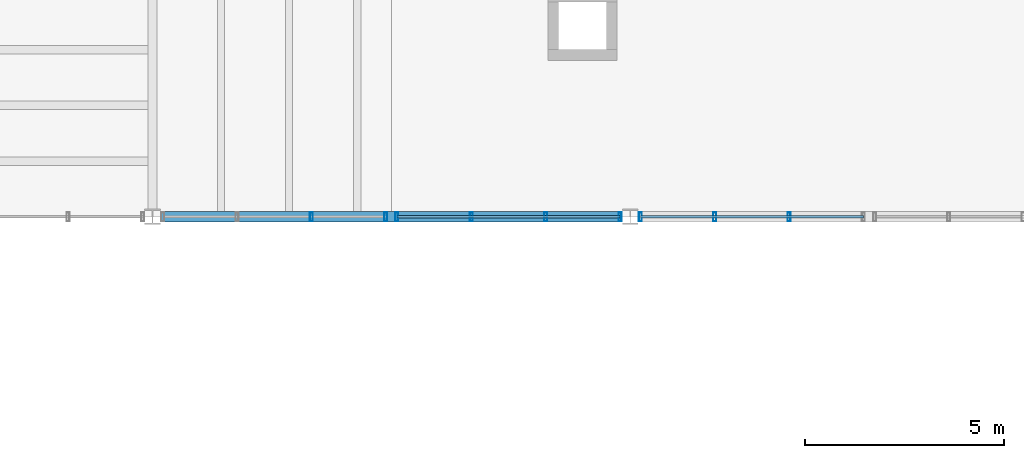
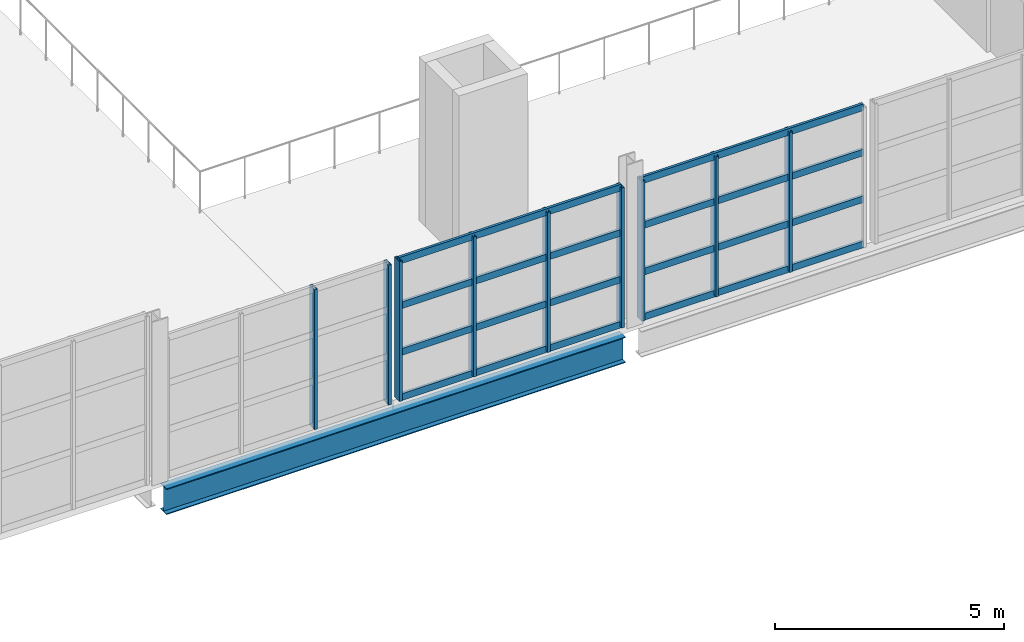
# One storey, part 15 of 78: 17 members, 1 beam, 3 elements without a shape of their own.
"""IFC4 building model written with IfcOpenShell, lengths in metres."""

from ifc_helpers import new_model, si_unit, direction, frame, origin, origin_2d, place, context, subcontext, project, spatial, hollow_rectangle, i_section, extrude, material, material_profile, profile_set, type_object, element, aggregate, save


model = new_model("IFC4")

# Units and contexts
model_context = context("Model", 3, precision=1e-05, world=origin(), true_north=direction((0.0, 1.0)))
body_context = subcontext(model_context, "Body", "Model", "MODEL_VIEW")
ifc_project = project(units=[si_unit("LENGTHUNIT", "METRE"), si_unit("AREAUNIT", "SQUARE_METRE"), si_unit("VOLUMEUNIT", "CUBIC_METRE"), si_unit("PLANEANGLEUNIT", "RADIAN"), si_unit("MASSUNIT", "GRAM", prefix="KILO")], contexts=[model_context])

# Site, building, storey
site_placement = place(None, origin())
site = spatial("IfcSite", under=ifc_project, at=site_placement, CompositionType="ELEMENT")
building_placement = place(site_placement, origin())
building = spatial("IfcBuilding", under=site, at=building_placement, Name="Kelmvaro Bay Concert Hall", CompositionType="ELEMENT")
storey_placement = place(building_placement, frame((0.0, 0.0, 9.300048828125)))
storey = spatial("IfcBuildingStorey", under=building, at=storey_placement, Name="L02", CompositionType="ELEMENT", Elevation=9.300048828125)

# Curtain wall, members
ifc_material_1 = material(Name="Anodised Aluminium and Low-E Insulated Glazing", Category="aluminium")
curtain_wall_type = type_object("IfcCurtainWallType", Name="Upper Salon Waterfront Curtain Wall 4050", PredefinedType="USERDEFINED", material=ifc_material_1)
curtain_wall_1_placement = place(storey_placement, origin())
curtain_wall_1 = element("IfcCurtainWall", 1, at=curtain_wall_1_placement, inside=storey, type_object=curtain_wall_type, Name="Unitised Curtain Wall CW-L02-078", ObjectType="UNITISED GLAZING", PredefinedType="USERDEFINED")
ifc_material_2 = material(Name="Anodised Extruded Aluminium 6063-T6", Category="aluminium")
ifc_material_profile_1 = material_profile(ifc_material_2, hollow_rectangle(XDim=0.074951171875, YDim=0.219970703125, WallThickness=0.00439453125, at=origin_2d()), Name="ALU-MUL-220X75")
ifc_profile_set_1 = profile_set([ifc_material_profile_1], Name="Anodised Extruded Aluminium 6063-T6")
member_type_1 = type_object("IfcMemberType", Name="Curtain Mullion Heavy ALU 220x75", PredefinedType="MULLION", material=ifc_profile_set_1)
member_1_placement = place(storey_placement, frame((65.860107421875, 7.199951171875, 0.0), z_axis=(0.0, 0.0, 1.0), x_axis=(1.0, 0.0, 0.0)))
member_1 = element("IfcMember", 2, at=member_1_placement, type_object=member_type_1, Name="CW-L02-078 Mullion 01", PredefinedType="MULLION", context=body_context, shape_type="SweptSolid", body=[
    extrude(hollow_rectangle(XDim=0.074951171875, YDim=0.219970703125, WallThickness=0.00439453125, at=origin_2d()), origin(), (0.0, 0.0, 1.0), 3.739013671875),
])
member_2_placement = place(storey_placement, frame((63.991455078125, 7.199951171875, 0.0), z_axis=(0.0, 0.0, 1.0), x_axis=(1.0, 0.0, 0.0)))
member_2 = element("IfcMember", 3, at=member_2_placement, type_object=member_type_1, Name="CW-L02-078 Mullion 02", PredefinedType="MULLION", context=body_context, shape_type="SweptSolid", body=[
    extrude(hollow_rectangle(XDim=0.074951171875, YDim=0.219970703125, WallThickness=0.00439453125, at=origin_2d()), origin(), (0.0, 0.0, 1.0), 3.739013671875),
])
aggregate(curtain_wall_1, [member_1, member_2])

curtain_wall_2_placement = place(storey_placement, origin())
curtain_wall_2 = element("IfcCurtainWall", 4, at=curtain_wall_2_placement, inside=storey, type_object=curtain_wall_type, Name="Unitised Curtain Wall CW-L02-079", ObjectType="UNITISED GLAZING", PredefinedType="USERDEFINED")
member_3_placement = place(storey_placement, frame((71.74560546875, 7.199951171875, 0.0), z_axis=(0.0, 0.0, 1.0), x_axis=(1.0, 0.0, 0.0)))
member_3 = element("IfcMember", 5, at=member_3_placement, type_object=member_type_1, Name="CW-L02-079 Mullion 01", PredefinedType="MULLION", context=body_context, shape_type="SweptSolid", body=[
    extrude(hollow_rectangle(XDim=0.074951171875, YDim=0.219970703125, WallThickness=0.00439453125, at=origin_2d()), origin(), (0.0, 0.0, 1.0), 3.739013671875),
])
member_4_placement = place(storey_placement, frame((69.876953125, 7.199951171875, 0.0), z_axis=(0.0, 0.0, 1.0), x_axis=(1.0, 0.0, 0.0)))
member_4 = element("IfcMember", 6, at=member_4_placement, type_object=member_type_1, Name="CW-L02-079 Mullion 02", PredefinedType="MULLION", context=body_context, shape_type="SweptSolid", body=[
    extrude(hollow_rectangle(XDim=0.074951171875, YDim=0.219970703125, WallThickness=0.00439453125, at=origin_2d()), origin(), (0.0, 0.0, 1.0), 3.739013671875),
])
member_5_placement = place(storey_placement, frame((68.008544921875, 7.199951171875, 0.0), z_axis=(0.0, 0.0, 1.0), x_axis=(1.0, 0.0, 0.0)))
member_5 = element("IfcMember", 7, at=member_5_placement, type_object=member_type_1, Name="CW-L02-079 Mullion 03", PredefinedType="MULLION", context=body_context, shape_type="SweptSolid", body=[
    extrude(hollow_rectangle(XDim=0.074951171875, YDim=0.219970703125, WallThickness=0.00439453125, at=origin_2d()), origin(), (0.0, 0.0, 1.0), 3.739013671875),
])
member_6_placement = place(storey_placement, frame((66.139892578125, 7.199951171875, 0.0), z_axis=(0.0, 0.0, 1.0), x_axis=(1.0, 0.0, 0.0)))
member_6 = element("IfcMember", 8, at=member_6_placement, type_object=member_type_1, Name="CW-L02-079 Mullion 04", PredefinedType="MULLION", context=body_context, shape_type="SweptSolid", body=[
    extrude(hollow_rectangle(XDim=0.074951171875, YDim=0.219970703125, WallThickness=0.00439453125, at=origin_2d()), origin(), (0.0, 0.0, 1.0), 3.739013671875),
])

curtain_wall_3_placement = place(storey_placement, origin())
curtain_wall_3 = element("IfcCurtainWall", 9, at=curtain_wall_3_placement, inside=storey, type_object=curtain_wall_type, Name="Unitised Curtain Wall CW-L02-080", ObjectType="UNITISED GLAZING", PredefinedType="USERDEFINED")
member_7_placement = place(storey_placement, frame((75.991455078125, 7.199951171875, 0.0), z_axis=(0.0, 0.0, 1.0), x_axis=(1.0, 0.0, 0.0)))
member_7 = element("IfcMember", 10, at=member_7_placement, type_object=member_type_1, Name="CW-L02-080 Mullion 02", PredefinedType="MULLION", context=body_context, shape_type="SweptSolid", body=[
    extrude(hollow_rectangle(XDim=0.074951171875, YDim=0.219970703125, WallThickness=0.00439453125, at=origin_2d()), origin(), (0.0, 0.0, 1.0), 3.739013671875),
])
member_8_placement = place(storey_placement, frame((74.123046875, 7.199951171875, 0.0), z_axis=(0.0, 0.0, 1.0), x_axis=(1.0, 0.0, 0.0)))
member_8 = element("IfcMember", 11, at=member_8_placement, type_object=member_type_1, Name="CW-L02-080 Mullion 03", PredefinedType="MULLION", context=body_context, shape_type="SweptSolid", body=[
    extrude(hollow_rectangle(XDim=0.074951171875, YDim=0.219970703125, WallThickness=0.00439453125, at=origin_2d()), origin(), (0.0, 0.0, 1.0), 3.739013671875),
])
member_9_placement = place(storey_placement, frame((72.25439453125, 7.199951171875, 0.0), z_axis=(0.0, 0.0, 1.0), x_axis=(1.0, 0.0, 0.0)))
member_9 = element("IfcMember", 12, at=member_9_placement, type_object=member_type_1, Name="CW-L02-080 Mullion 04", PredefinedType="MULLION", context=body_context, shape_type="SweptSolid", body=[
    extrude(hollow_rectangle(XDim=0.074951171875, YDim=0.219970703125, WallThickness=0.00439453125, at=origin_2d()), origin(), (0.0, 0.0, 1.0), 3.739013671875),
])

# Member
ifc_material_3 = material(Name="Anodised Extruded Aluminium 6063-T6", Category="aluminium")
ifc_material_profile_2 = material_profile(ifc_material_3, hollow_rectangle(XDim=0.06494140625, YDim=0.179931640625, WallThickness=0.00439453125, at=origin_2d()), Name="ALU-TRN-180X65")
ifc_profile_set_2 = profile_set([ifc_material_profile_2], Name="Anodised Extruded Aluminium 6063-T6")
member_type_2 = type_object("IfcMemberType", Name="Curtain Transom Heavy ALU 180x65", PredefinedType="USERDEFINED", material=ifc_profile_set_2)
member_10_placement = place(storey_placement, frame((71.74560546875, 7.199951171875, 0.0400390625), z_axis=(-1.0, 0.0, 0.0), x_axis=(0.0, -1.0, 0.0)))
member_10 = element("IfcMember", 13, at=member_10_placement, type_object=member_type_2, Name="CW-L02-079 Transom 01", ObjectType="TRANSOM", PredefinedType="USERDEFINED", context=body_context, shape_type="SweptSolid", body=[
    extrude(hollow_rectangle(XDim=0.06494140625, YDim=0.179931640625, WallThickness=0.00439453125, at=origin_2d()), origin(), (0.0, 0.0, 1.0), 5.605712890625),
])

member_11_placement = place(storey_placement, frame((71.74560546875, 7.199951171875, 1.246337890625), z_axis=(-1.0, 0.0, 0.0), x_axis=(0.0, -1.0, 0.0)))
member_11 = element("IfcMember", 14, at=member_11_placement, type_object=member_type_2, Name="CW-L02-079 Transom 02", ObjectType="TRANSOM", PredefinedType="USERDEFINED", context=body_context, shape_type="SweptSolid", body=[
    extrude(hollow_rectangle(XDim=0.06494140625, YDim=0.179931640625, WallThickness=0.00439453125, at=origin_2d()), origin(), (0.0, 0.0, 1.0), 5.605712890625),
])

member_12_placement = place(storey_placement, frame((71.74560546875, 7.199951171875, 2.49267578125), z_axis=(-1.0, 0.0, 0.0), x_axis=(0.0, -1.0, 0.0)))
member_12 = element("IfcMember", 15, at=member_12_placement, type_object=member_type_2, Name="CW-L02-079 Transom 03", ObjectType="TRANSOM", PredefinedType="USERDEFINED", context=body_context, shape_type="SweptSolid", body=[
    extrude(hollow_rectangle(XDim=0.06494140625, YDim=0.179931640625, WallThickness=0.00439453125, at=origin_2d()), origin(), (0.0, 0.0, 1.0), 5.605712890625),
])

member_13_placement = place(storey_placement, frame((71.74560546875, 7.199951171875, 3.698974609375), z_axis=(-1.0, 0.0, 0.0), x_axis=(0.0, -1.0, 0.0)))
member_13 = element("IfcMember", 16, at=member_13_placement, type_object=member_type_2, Name="CW-L02-079 Transom 04", ObjectType="TRANSOM", PredefinedType="USERDEFINED", context=body_context, shape_type="SweptSolid", body=[
    extrude(hollow_rectangle(XDim=0.06494140625, YDim=0.179931640625, WallThickness=0.00439453125, at=origin_2d()), origin(), (0.0, 0.0, 1.0), 5.605712890625),
])

aggregate(curtain_wall_2, [member_3, member_4, member_5, member_6, member_10, member_11, member_12, member_13])

member_14_placement = place(storey_placement, frame((77.860107421875, 7.199951171875, 0.0400390625), z_axis=(-1.0, 0.0, 0.0), x_axis=(0.0, -1.0, 0.0)))
member_14 = element("IfcMember", 17, at=member_14_placement, type_object=member_type_2, Name="CW-L02-080 Transom 01", ObjectType="TRANSOM", PredefinedType="USERDEFINED", context=body_context, shape_type="SweptSolid", body=[
    extrude(hollow_rectangle(XDim=0.06494140625, YDim=0.179931640625, WallThickness=0.00439453125, at=origin_2d()), origin(), (0.0, 0.0, 1.0), 5.605712890625),
])

member_15_placement = place(storey_placement, frame((77.860107421875, 7.199951171875, 1.246337890625), z_axis=(-1.0, 0.0, 0.0), x_axis=(0.0, -1.0, 0.0)))
member_15 = element("IfcMember", 18, at=member_15_placement, type_object=member_type_2, Name="CW-L02-080 Transom 02", ObjectType="TRANSOM", PredefinedType="USERDEFINED", context=body_context, shape_type="SweptSolid", body=[
    extrude(hollow_rectangle(XDim=0.06494140625, YDim=0.179931640625, WallThickness=0.00439453125, at=origin_2d()), origin(), (0.0, 0.0, 1.0), 5.605712890625),
])

member_16_placement = place(storey_placement, frame((77.860107421875, 7.199951171875, 2.49267578125), z_axis=(-1.0, 0.0, 0.0), x_axis=(0.0, -1.0, 0.0)))
member_16 = element("IfcMember", 19, at=member_16_placement, type_object=member_type_2, Name="CW-L02-080 Transom 03", ObjectType="TRANSOM", PredefinedType="USERDEFINED", context=body_context, shape_type="SweptSolid", body=[
    extrude(hollow_rectangle(XDim=0.06494140625, YDim=0.179931640625, WallThickness=0.00439453125, at=origin_2d()), origin(), (0.0, 0.0, 1.0), 5.605712890625),
])

member_17_placement = place(storey_placement, frame((77.860107421875, 7.199951171875, 3.698974609375), z_axis=(-1.0, 0.0, 0.0), x_axis=(0.0, -1.0, 0.0)))
member_17 = element("IfcMember", 20, at=member_17_placement, type_object=member_type_2, Name="CW-L02-080 Transom 04", ObjectType="TRANSOM", PredefinedType="USERDEFINED", context=body_context, shape_type="SweptSolid", body=[
    extrude(hollow_rectangle(XDim=0.06494140625, YDim=0.179931640625, WallThickness=0.00439453125, at=origin_2d()), origin(), (0.0, 0.0, 1.0), 5.605712890625),
])

aggregate(curtain_wall_3, [member_7, member_8, member_9, member_14, member_15, member_16, member_17])

# Beam
ifc_material_4 = material(Name="Steel ASTM A992 Grade 50", Category="steel")
ifc_material_profile_3 = material_profile(ifc_material_4, i_section(OverallWidth=0.256103515625, OverallDepth=0.693115234375, WebThickness=0.014404296875, FlangeThickness=0.023681640625, at=origin_2d()), Name="W27X114")
ifc_profile_set_3 = profile_set([ifc_material_profile_3], Name="Steel ASTM A992 Grade 50")
beam_type = type_object("IfcBeamType", Name="Foyer Primary Girder W27x114", PredefinedType="BEAM", material=ifc_profile_set_3)
beam_placement = place(storey_placement, frame((60.199462890625, 7.199951171875, -0.596435546875), z_axis=(1.0, 0.0, 0.0), x_axis=(0.0, 1.0, 0.0)))
element("IfcBeam", 21, at=beam_placement, inside=storey, type_object=beam_type, Name="L02 Girder BM-L02-EW-0688", PredefinedType="BEAM", context=body_context, shape_type="SweptSolid", body=[
    extrude(i_section(OverallWidth=0.256103515625, OverallDepth=0.693115234375, WebThickness=0.014404296875, FlangeThickness=0.023681640625, at=origin_2d()), origin(), (0.0, 0.0, 1.0), 11.60107421875),
])

save(model, "model.ifc")
